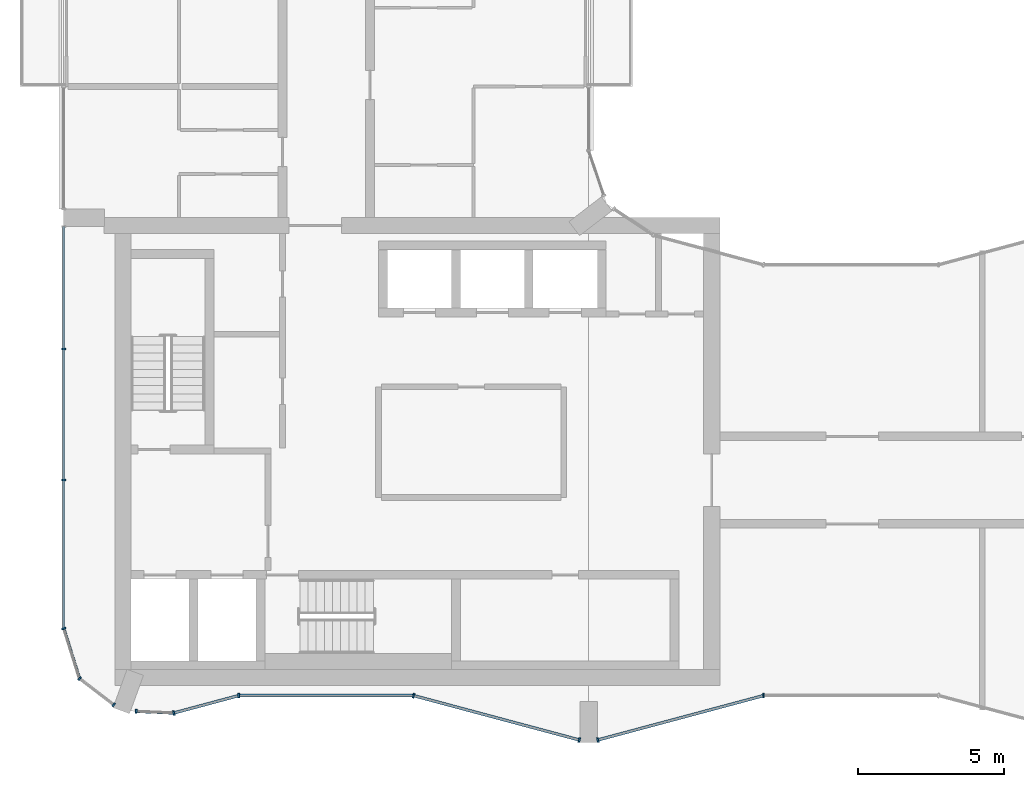
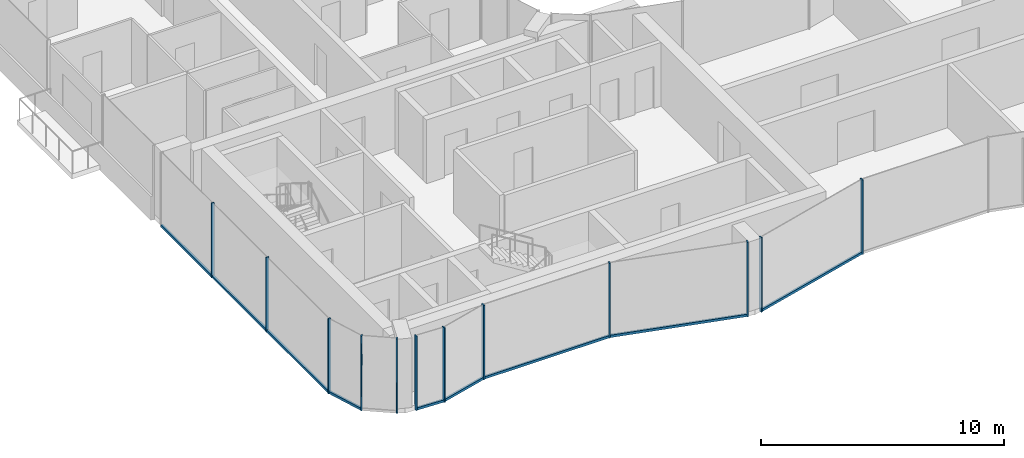
# One storey, part 2 of 16: 19 members, 9 elements without a shape of their own.
"""IFC4 building model written with IfcOpenShell, lengths in metres."""

from ifc_helpers import new_model, si_unit, direction, frame, origin, origin_2d, place, context, subcontext, project, spatial, rectangle, extrude, material, layer, layer_set, material_profile, profile_set, type_object, element, aggregate, save


model = new_model("IFC4")

# Units and contexts
model_context = context("Model", 3, precision=1e-05, world=origin(), true_north=direction((0.0, 1.0)))
body_context = subcontext(model_context, "Body", "Model", "MODEL_VIEW")
ifc_project = project(units=[si_unit("LENGTHUNIT", "METRE"), si_unit("AREAUNIT", "SQUARE_METRE"), si_unit("VOLUMEUNIT", "CUBIC_METRE"), si_unit("PLANEANGLEUNIT", "RADIAN"), si_unit("MASSUNIT", "GRAM", prefix="KILO")], contexts=[model_context])

# Site, building, storey
site_placement = place(None, origin())
site = spatial("IfcSite", under=ifc_project, at=site_placement, CompositionType="ELEMENT")
building_placement = place(site_placement, origin())
building = spatial("IfcBuilding", under=site, at=building_placement, Name="Plateau Cross Towers", CompositionType="ELEMENT")
storey_placement = place(building_placement, frame((0.0, 0.0, 181.39990234375)))
storey = spatial("IfcBuildingStorey", under=building, at=storey_placement, Name="L47", CompositionType="ELEMENT", Elevation=181.39990234375)

# Curtain wall, members
ifc_material_1 = material(Name="Dark low-iron glass", Category="glass")
ifc_layer_1 = layer(ifc_material_1, 0.239990234375)
ifc_layer_set_1 = layer_set([ifc_layer_1], Name="Dark low-iron glass")
curtain_wall_type_1 = type_object("IfcCurtainWallType", Name="Curtain wall flush unitised CW-B", PredefinedType="NOTDEFINED", material=ifc_layer_set_1)
curtain_wall_1_placement = place(storey_placement, origin())
curtain_wall_1 = element("IfcCurtainWall", 1, at=curtain_wall_1_placement, inside=storey, type_object=curtain_wall_type_1, Name="ENV/A/L47/A0_177", PredefinedType="NOTDEFINED")
ifc_material_2 = material(Name="Black anodised aluminium", Category="aluminium")
ifc_material_profile_1 = material_profile(ifc_material_2, rectangle(XDim=0.06005859375, YDim=0.139892578125, at=origin_2d()), Name="MULLION 60x140")
ifc_profile_set_1 = profile_set([ifc_material_profile_1], Name="Black anodised aluminium")
member_type_1 = type_object("IfcMemberType", Name="Mullion 60x140 flush unitised", PredefinedType="MULLION", material=ifc_profile_set_1)
member_1_placement = place(storey_placement, frame((0.0, 13.5, -0.25), z_axis=(0.0, 0.0, 1.0), x_axis=(0.0, -1.0, 0.0)))
member_1 = element("IfcMember", 2, at=member_1_placement, type_object=member_type_1, Name="CW-B mullion 2", PredefinedType="MULLION", context=body_context, shape_type="SweptSolid", body=[
    extrude(rectangle(XDim=0.06005859375, YDim=0.139892578125, at=origin_2d()), origin(), (0.0, 0.0, 1.0), 3.75),
])
member_2_placement = place(storey_placement, frame((0.0, 9.0, -0.25), z_axis=(0.0, 0.0, 1.0), x_axis=(0.0, -1.0, 0.0)))
member_2 = element("IfcMember", 3, at=member_2_placement, type_object=member_type_1, Name="CW-B mullion 3", PredefinedType="MULLION", context=body_context, shape_type="SweptSolid", body=[
    extrude(rectangle(XDim=0.06005859375, YDim=0.139892578125, at=origin_2d()), origin(), (0.0, 0.0, 1.0), 3.75),
])

# Curtain wall, member
curtain_wall_2_placement = place(storey_placement, origin())
curtain_wall_2 = element("IfcCurtainWall", 4, at=curtain_wall_2_placement, inside=storey, type_object=curtain_wall_type_1, Name="ENV/A/L47/A0_39", PredefinedType="NOTDEFINED")
member_3_placement = place(storey_placement, frame((0.0, 3.9091796875, -0.25), z_axis=(0.0, 0.0, 1.0), x_axis=(0.300686174994, -0.95372313811, 0.0)))
member_3 = element("IfcMember", 5, at=member_3_placement, type_object=member_type_1, Name="CW-B mullion 1", PredefinedType="MULLION", context=body_context, shape_type="SweptSolid", body=[
    extrude(rectangle(XDim=0.06005859375, YDim=0.139892578125, at=origin_2d()), origin(), (0.0, 0.0, 1.0), 3.75),
])

# Curtain wall, members
curtain_wall_3_placement = place(storey_placement, origin())
curtain_wall_3 = element("IfcCurtainWall", 6, at=curtain_wall_3_placement, inside=storey, type_object=curtain_wall_type_1, Name="ENV/A/L47/A5_22", PredefinedType="NOTDEFINED")
member_4_placement = place(storey_placement, frame((0.54248046875, 2.1884765625, -0.25), z_axis=(0.0, 0.0, 1.0), x_axis=(0.793315514529, -0.608810721331, 0.0)))
member_4 = element("IfcMember", 7, at=member_4_placement, type_object=member_type_1, Name="CW-B mullion 1", PredefinedType="MULLION", context=body_context, shape_type="SweptSolid", body=[
    extrude(rectangle(XDim=0.06005859375, YDim=0.139892578125, at=origin_2d()), origin(), (0.0, 0.0, 1.0), 3.75),
])
member_5_placement = place(storey_placement, frame((1.709716796875, 1.292724609375, -0.25), z_axis=(0.0, 0.0, 1.0), x_axis=(0.793315514529, -0.608810721331, 0.0)))
member_5 = element("IfcMember", 8, at=member_5_placement, type_object=member_type_1, Name="CW-B mullion 2", PredefinedType="MULLION", context=body_context, shape_type="SweptSolid", body=[
    extrude(rectangle(XDim=0.06005859375, YDim=0.139892578125, at=origin_2d()), origin(), (0.0, 0.0, 1.0), 3.75),
])
aggregate(curtain_wall_3, [member_4, member_5])

# Curtain wall, member
curtain_wall_4_placement = place(storey_placement, origin())
curtain_wall_4 = element("IfcCurtainWall", 9, at=curtain_wall_4_placement, inside=storey, type_object=curtain_wall_type_1, Name="ENV/A/L47/A25_11", PredefinedType="NOTDEFINED")
member_6_placement = place(storey_placement, frame((2.483642578125, 1.06787109375, -0.25), z_axis=(0.0, 0.0, 1.0), x_axis=(0.999043701491, -0.043722791671, 0.0)))
member_6 = element("IfcMember", 10, at=member_6_placement, type_object=member_type_1, Name="CW-B mullion 1", PredefinedType="MULLION", context=body_context, shape_type="SweptSolid", body=[
    extrude(rectangle(XDim=0.06005859375, YDim=0.139892578125, at=origin_2d()), origin(), (0.0, 0.0, 1.0), 3.75),
])

ifc_layer_2 = layer(ifc_material_1, 0.260009765625)
ifc_layer_set_2 = layer_set([ifc_layer_2], Name="Dark low-iron glass")
curtain_wall_type_2 = type_object("IfcCurtainWallType", Name="Curtain wall fluted unitised CW-A", PredefinedType="NOTDEFINED", material=ifc_layer_set_2)
curtain_wall_5_placement = place(storey_placement, origin())
curtain_wall_5 = element("IfcCurtainWall", 11, at=curtain_wall_5_placement, inside=storey, type_object=curtain_wall_type_2, Name="ENV/A/L47/A38_10", PredefinedType="NOTDEFINED")
ifc_material_profile_2 = material_profile(ifc_material_2, rectangle(XDim=0.06005859375, YDim=0.159912109375, at=origin_2d()), Name="MULLION 60x160")
ifc_profile_set_2 = profile_set([ifc_material_profile_2], Name="Black anodised aluminium")
member_type_2 = type_object("IfcMemberType", Name="Mullion 60x160 fluted unitised", PredefinedType="MULLION", material=ifc_profile_set_2)
member_7_placement = place(storey_placement, frame((3.776123046875, 1.01123046875, -0.25), z_axis=(0.0, 0.0, 1.0), x_axis=(0.965957962328, 0.258699081978, 0.0)))
member_7 = element("IfcMember", 12, at=member_7_placement, type_object=member_type_2, Name="CW-A mullion 1", PredefinedType="MULLION", context=body_context, shape_type="SweptSolid", body=[
    extrude(rectangle(XDim=0.06005859375, YDim=0.159912109375, at=origin_2d()), origin(), (0.0, 0.0, 1.0), 3.75),
])

curtain_wall_6_placement = place(storey_placement, origin())
curtain_wall_6 = element("IfcCurtainWall", 13, at=curtain_wall_6_placement, inside=storey, type_object=curtain_wall_type_2, Name="ENV/A/L47/A60_16", PredefinedType="NOTDEFINED")
member_8_placement = place(storey_placement, frame((6.0, 1.60693359375, -0.25), z_axis=(0.0, 0.0, 1.0), x_axis=(1.0, 0.0, 0.0)))
member_8 = element("IfcMember", 14, at=member_8_placement, type_object=member_type_2, Name="CW-A mullion 1", PredefinedType="MULLION", context=body_context, shape_type="SweptSolid", body=[
    extrude(rectangle(XDim=0.06005859375, YDim=0.159912109375, at=origin_2d()), origin(), (0.0, 0.0, 1.0), 3.75),
])

# Curtain wall, members
curtain_wall_7_placement = place(storey_placement, origin())
curtain_wall_7 = element("IfcCurtainWall", 15, at=curtain_wall_7_placement, inside=storey, type_object=curtain_wall_type_2, Name="ENV/A/L47/A120_16", PredefinedType="NOTDEFINED")
member_9_placement = place(storey_placement, frame((12.0, 1.60693359375, -0.25), z_axis=(0.0, 0.0, 1.0), x_axis=(0.965957983404, -0.258699003279, 0.0)))
member_9 = element("IfcMember", 16, at=member_9_placement, type_object=member_type_2, Name="CW-A mullion 1", PredefinedType="MULLION", context=body_context, shape_type="SweptSolid", body=[
    extrude(rectangle(XDim=0.06005859375, YDim=0.159912109375, at=origin_2d()), origin(), (0.0, 0.0, 1.0), 3.75),
])
member_10_placement = place(storey_placement, frame((17.68212890625, 0.085205078125, -0.25), z_axis=(0.0, 0.0, 1.0), x_axis=(0.965957983404, -0.258699003279, 0.0)))
member_10 = element("IfcMember", 17, at=member_10_placement, type_object=member_type_2, Name="CW-A mullion 2", PredefinedType="MULLION", context=body_context, shape_type="SweptSolid", body=[
    extrude(rectangle(XDim=0.06005859375, YDim=0.159912109375, at=origin_2d()), origin(), (0.0, 0.0, 1.0), 3.75),
])

# Curtain wall, member
curtain_wall_8_placement = place(storey_placement, origin())
curtain_wall_8 = element("IfcCurtainWall", 18, at=curtain_wall_8_placement, inside=storey, type_object=curtain_wall_type_2, Name="ENV/A/L47/A183_1", PredefinedType="NOTDEFINED")
member_11_placement = place(storey_placement, frame((18.31787109375, 0.085205078125, -0.25), z_axis=(0.0, 0.0, 1.0), x_axis=(0.965957983404, 0.258699003279, 0.0)))
member_11 = element("IfcMember", 19, at=member_11_placement, type_object=member_type_2, Name="CW-A mullion 1", PredefinedType="MULLION", context=body_context, shape_type="SweptSolid", body=[
    extrude(rectangle(XDim=0.06005859375, YDim=0.159912109375, at=origin_2d()), origin(), (0.0, 0.0, 1.0), 3.75),
])

curtain_wall_9_placement = place(storey_placement, origin())
curtain_wall_9 = element("IfcCurtainWall", 20, at=curtain_wall_9_placement, inside=storey, type_object=curtain_wall_type_2, Name="ENV/A/L47/A240_16", PredefinedType="NOTDEFINED")
member_12_placement = place(storey_placement, frame((24.0, 1.60693359375, -0.25), z_axis=(0.0, 0.0, 1.0), x_axis=(1.0, 0.0, 0.0)))
member_12 = element("IfcMember", 21, at=member_12_placement, type_object=member_type_2, Name="CW-A mullion 1", PredefinedType="MULLION", context=body_context, shape_type="SweptSolid", body=[
    extrude(rectangle(XDim=0.06005859375, YDim=0.159912109375, at=origin_2d()), origin(), (0.0, 0.0, 1.0), 3.75),
])
aggregate(curtain_wall_9, [member_12])

# Member
ifc_material_profile_3 = material_profile(ifc_material_2, rectangle(XDim=0.10009765625, YDim=0.1201171875, at=origin_2d()), Name="TRANSOM 100x120")
ifc_profile_set_3 = profile_set([ifc_material_profile_3], Name="Black anodised aluminium")
member_type_3 = type_object("IfcMemberType", Name="Transom 100x120 flush unitised", PredefinedType="USERDEFINED", material=ifc_profile_set_3)
member_13_placement = place(storey_placement, frame((0.0, 17.699951171875, -0.18994140625), z_axis=(0.0, -1.0, 0.0), x_axis=(1.0, 0.0, 0.0)))
member_13 = element("IfcMember", 22, at=member_13_placement, type_object=member_type_3, Name="CW-B transom", ObjectType="TRANSOM", PredefinedType="USERDEFINED", context=body_context, shape_type="SweptSolid", body=[
    extrude(rectangle(XDim=0.10009765625, YDim=0.1201171875, at=origin_2d()), origin(), (0.0, 0.0, 1.0), 13.790771484375),
])

aggregate(curtain_wall_1, [member_1, member_2, member_13])

member_14_placement = place(storey_placement, frame((0.0, 3.9091796875, -0.18994140625), z_axis=(0.30067799945, -0.953725715626, 0.0), x_axis=(0.953725715626, 0.30067799945, 0.0)))
member_14 = element("IfcMember", 23, at=member_14_placement, type_object=member_type_3, Name="CW-B transom", ObjectType="TRANSOM", PredefinedType="USERDEFINED", context=body_context, shape_type="SweptSolid", body=[
    extrude(rectangle(XDim=0.10009765625, YDim=0.1201171875, at=origin_2d()), origin(), (0.0, 0.0, 1.0), 1.80419921875),
])

aggregate(curtain_wall_2, [member_3, member_14])

member_15_placement = place(storey_placement, frame((2.483642578125, 1.06787109375, -0.18994140625), z_axis=(0.999041144614, -0.043781175963, 0.0), x_axis=(0.043781175963, 0.999041144614, 0.0)))
member_15 = element("IfcMember", 24, at=member_15_placement, type_object=member_type_3, Name="CW-B transom", ObjectType="TRANSOM", PredefinedType="USERDEFINED", context=body_context, shape_type="SweptSolid", body=[
    extrude(rectangle(XDim=0.10009765625, YDim=0.1201171875, at=origin_2d()), origin(), (0.0, 0.0, 1.0), 1.293701171875),
])

aggregate(curtain_wall_4, [member_6, member_15])

ifc_material_profile_4 = material_profile(ifc_material_2, rectangle(XDim=0.10009765625, YDim=0.1201171875, at=origin_2d()), Name="TRANSOM 100x120")
ifc_profile_set_4 = profile_set([ifc_material_profile_4], Name="Black anodised aluminium")
member_type_4 = type_object("IfcMemberType", Name="Transom 100x120 fluted unitised", PredefinedType="USERDEFINED", material=ifc_profile_set_4)
member_16_placement = place(storey_placement, frame((3.776123046875, 1.01123046875, -0.18994140625), z_axis=(0.965945685136, 0.258744919501, 0.0), x_axis=(-0.258744919501, 0.965945685136, 0.0)))
member_16 = element("IfcMember", 25, at=member_16_placement, type_object=member_type_4, Name="CW-A transom", ObjectType="TRANSOM", PredefinedType="USERDEFINED", context=body_context, shape_type="SweptSolid", body=[
    extrude(rectangle(XDim=0.10009765625, YDim=0.1201171875, at=origin_2d()), origin(), (0.0, 0.0, 1.0), 2.30224609375),
])

aggregate(curtain_wall_5, [member_7, member_16])

member_17_placement = place(storey_placement, frame((6.0, 1.60693359375, -0.18994140625), z_axis=(1.0, 0.0, 0.0), x_axis=(0.0, 1.0, 0.0)))
member_17 = element("IfcMember", 26, at=member_17_placement, type_object=member_type_4, Name="CW-A transom", ObjectType="TRANSOM", PredefinedType="USERDEFINED", context=body_context, shape_type="SweptSolid", body=[
    extrude(rectangle(XDim=0.10009765625, YDim=0.1201171875, at=origin_2d()), origin(), (0.0, 0.0, 1.0), 6.0),
])

aggregate(curtain_wall_6, [member_8, member_17])

member_18_placement = place(storey_placement, frame((12.0, 1.60693359375, -0.18994140625), z_axis=(0.965959534794, -0.258693210465, 0.0), x_axis=(0.258693210465, 0.965959534794, 0.0)))
member_18 = element("IfcMember", 27, at=member_18_placement, type_object=member_type_4, Name="CW-A transom", ObjectType="TRANSOM", PredefinedType="USERDEFINED", context=body_context, shape_type="SweptSolid", body=[
    extrude(rectangle(XDim=0.10009765625, YDim=0.1201171875, at=origin_2d()), origin(), (0.0, 0.0, 1.0), 5.88232421875),
])

aggregate(curtain_wall_7, [member_9, member_10, member_18])

member_19_placement = place(storey_placement, frame((18.31787109375, 0.085205078125, -0.18994140625), z_axis=(0.965959534794, 0.258693210465, 0.0), x_axis=(-0.258693210465, 0.965959534794, 0.0)))
member_19 = element("IfcMember", 28, at=member_19_placement, type_object=member_type_4, Name="CW-A transom", ObjectType="TRANSOM", PredefinedType="USERDEFINED", context=body_context, shape_type="SweptSolid", body=[
    extrude(rectangle(XDim=0.10009765625, YDim=0.1201171875, at=origin_2d()), origin(), (0.0, 0.0, 1.0), 5.88232421875),
])

aggregate(curtain_wall_8, [member_11, member_19])

save(model, "model.ifc")
